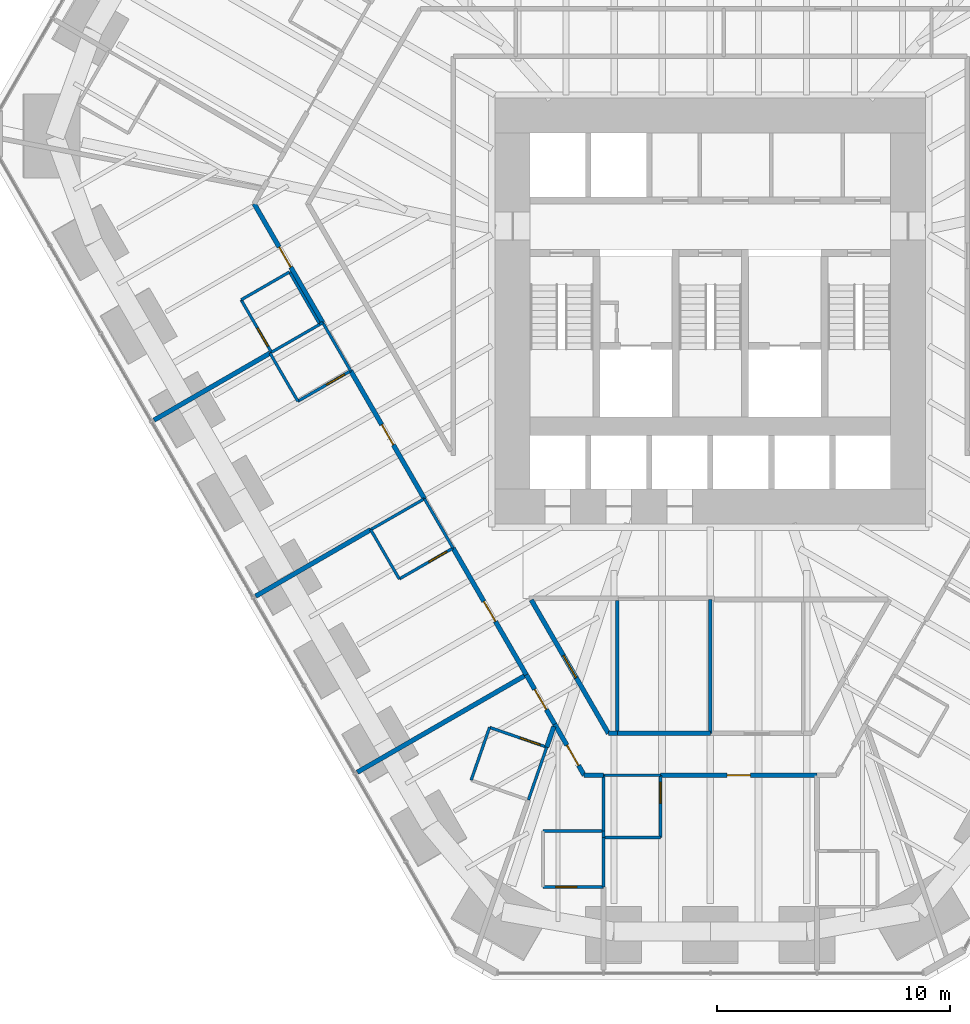
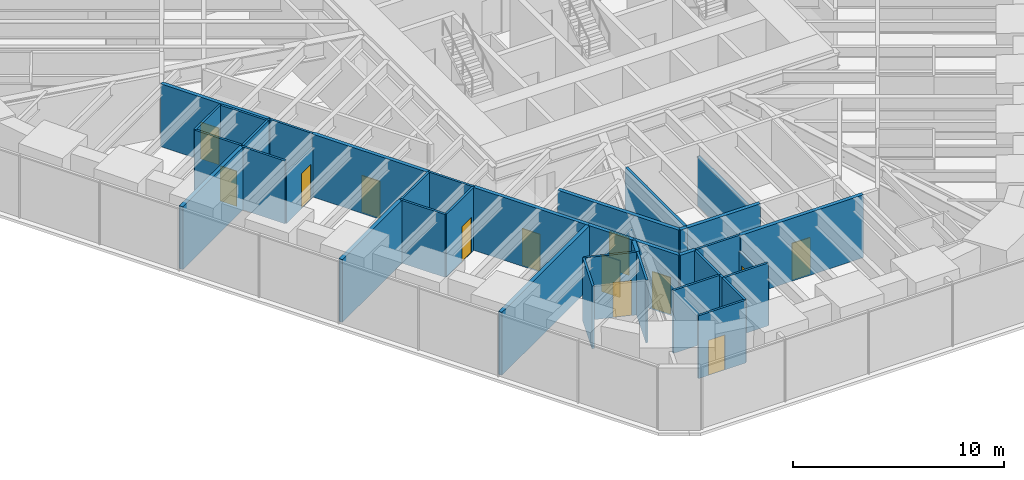
# One storey, part 11 of 17: 39 walls, 13 doors, 13 openings.
"""IFC4 building model written with IfcOpenShell, lengths in metres."""

from ifc_helpers import new_model, si_unit, direction, frame, frame_2d, origin, place, context, subcontext, project, spatial, rectangle, extrude, material, layer, layer_set, type_object, element, fill, save


model = new_model("IFC4")

# Units and contexts
model_context = context("Model", 3, precision=1e-05, world=origin(), true_north=direction((0.0, 1.0)))
body_context = subcontext(model_context, "Body", "Model", "MODEL_VIEW")
ifc_project = project(units=[si_unit("LENGTHUNIT", "METRE"), si_unit("AREAUNIT", "SQUARE_METRE"), si_unit("VOLUMEUNIT", "CUBIC_METRE"), si_unit("PLANEANGLEUNIT", "RADIAN"), si_unit("MASSUNIT", "GRAM", prefix="KILO")], contexts=[model_context])

# Site, building, storey
site_placement = place(None, origin())
site = spatial("IfcSite", under=ifc_project, at=site_placement, CompositionType="ELEMENT")
building_placement = place(site_placement, origin())
building = spatial("IfcBuilding", under=site, at=building_placement, Name="Sandreach Pilgrim Tower", CompositionType="ELEMENT")
storey_placement = place(building_placement, frame((0.0, 0.0, 64.800048828125)))
storey = spatial("IfcBuildingStorey", under=building, at=storey_placement, Name="L15", CompositionType="ELEMENT", Elevation=64.800048828125)

# Walls
ifc_material_1 = material(Name="Gypsum board on steel studs", Category="steel")
ifc_layer_1 = layer(ifc_material_1, 0.14990234375)
ifc_layer_set_1 = layer_set([ifc_layer_1], Name="Back of house wall 150")
wall_type_1 = type_object("IfcWallType", Name="Back of house wall 150", PredefinedType="PARTITIONING", material=ifc_layer_set_1)
wall_1_placement = place(storey_placement, frame((-4.0, -14.0, 0.0), z_axis=(0.0, 0.0, 1.0), x_axis=(0.0, -1.0, 0.0)))
element("IfcWall", 1, at=wall_1_placement, inside=storey, type_object=wall_type_1, Name="Back of house wall L15-078", PredefinedType="PARTITIONING", context=body_context, shape_type="SweptSolid", body=[
    extrude(rectangle(XDim=5.7099609375, YDim=0.14990234375, at=frame_2d((2.85498046875, 0.0))), origin(), (0.0, 0.0, 1.0), 3.639892578125),
])
wall_2_placement = place(storey_placement, frame((0.0, -13.949951171875, 0.0), z_axis=(0.0, 0.0, 1.0), x_axis=(0.0, -1.0, 0.0)))
element("IfcWall", 2, at=wall_2_placement, inside=storey, type_object=wall_type_1, Name="Back of house wall L15-086", PredefinedType="PARTITIONING", context=body_context, shape_type="SweptSolid", body=[
    extrude(rectangle(XDim=5.760009765625, YDim=0.14990234375, at=frame_2d((2.8798828125, 0.0))), origin(), (0.0, 0.0, 1.0), 2.860107421875),
])

# Wall, opening, door
ifc_material_2 = material(Name="Moisture-resistant gypsum board on steel studs", Category="steel")
ifc_layer_2 = layer(ifc_material_2, 0.1201171875)
ifc_layer_set_2 = layer_set([ifc_layer_2], Name="Bathroom partition 120")
wall_type_2 = type_object("IfcWallType", Name="Bathroom partition 120", PredefinedType="PARTITIONING", material=ifc_layer_set_2)
wall_3_placement = place(storey_placement, frame((-20.169921875, -1.070068359375, 0.0), z_axis=(0.0, 0.0, 1.0), x_axis=(0.500291685314, -0.865856933682, 0.0)))
wall_3 = element("IfcWall", 3, at=wall_3_placement, inside=storey, type_object=wall_type_2, Name="Bathroom partition L15-011", PredefinedType="PARTITIONING", context=body_context, shape_type="SweptSolid", body=[
    extrude(rectangle(XDim=2.5986328125, YDim=0.1201171875, at=frame_2d((1.29931640625, 0.0))), origin(), (0.0, 0.0, 1.0), 3.639892578125),
])
opening_1_placement = place(wall_3_placement, frame((1.398681640625, 0.0, 0.0)))
opening_1 = element("IfcOpeningElement", 4, at=opening_1_placement, cuts=wall_3, Name="Opening D09-17B", PredefinedType="OPENING", context=body_context, shape_type="SweptSolid", body=[
    extrude(rectangle(XDim=0.89990234375, YDim=2.030029296875, at=frame_2d((0.449951171875, 1.01513671875))), frame((0.0, 0.06005859375, 0.0), z_axis=(0.0, -1.0, 0.0), x_axis=(1.0, 0.0, 0.0)), (0.0, 0.0, 1.0), 0.1201171875),
])
ifc_material_3 = material(Name="Timber door, steel frame", Category="steel")
door_type_1 = type_object("IfcDoorType", Name="Bathroom door", OperationType="SINGLE_SWING_LEFT", PredefinedType="DOOR", material=ifc_material_3)
door_1_placement = place(opening_1_placement, origin())
door_1 = element("IfcDoor", 5, at=door_1_placement, inside=storey, type_object=door_type_1, Name="Door 1517B", OperationType="SINGLE_SWING_RIGHT", OverallHeight=2.030029296875, OverallWidth=0.89990234375, PredefinedType="DOOR", context=body_context, shape_type="SweptSolid", body=[
    extrude(rectangle(XDim=0.89990234375, YDim=2.030029296875, at=frame_2d((0.449951171875, 1.01513671875))), frame((0.0, 0.02490234375, 0.0), z_axis=(0.0, -1.0, 0.0), x_axis=(1.0, 0.0, 0.0)), (0.0, 0.0, 1.0), 0.050048828125),
])
fill(opening_1, door_1)

# Walls
wall_4_placement = place(storey_placement, frame((-18.929931640625, -3.360107421875, 0.0), z_axis=(0.0, 0.0, 1.0), x_axis=(0.501547039172, -0.865130376012, 0.0)))
element("IfcWall", 6, at=wall_4_placement, inside=storey, type_object=wall_type_2, Name="Bathroom partition L15-015", PredefinedType="PARTITIONING", context=body_context, shape_type="SweptSolid", body=[
    extrude(rectangle(XDim=2.392578125, YDim=0.1201171875, at=frame_2d((1.1962890625, 0.0))), origin(), (0.0, 0.0, 1.0), 3.639892578125),
])
wall_5_placement = place(storey_placement, frame((-18.86767578125, -3.323974609375, 0.0), z_axis=(0.0, 0.0, 1.0), x_axis=(0.866133109688, 0.499813401482, 0.0)))
element("IfcWall", 7, at=wall_5_placement, inside=storey, type_object=wall_type_2, Name="Bathroom partition L15-016", PredefinedType="PARTITIONING", context=body_context, shape_type="SweptSolid", body=[
    extrude(rectangle(XDim=2.4013671875, YDim=0.1201171875, at=frame_2d((1.20068359375, 0.0))), origin(), (0.0, 0.0, 1.0), 3.639892578125),
])
wall_6_placement = place(storey_placement, frame((-18.090087890625, 0.1298828125, 0.0), z_axis=(0.0, 0.0, 1.0), x_axis=(-0.866177122335, -0.499737123639, 0.0)))
element("IfcWall", 8, at=wall_6_placement, inside=storey, type_object=wall_type_2, Name="Bathroom partition L15-019", PredefinedType="PARTITIONING", context=body_context, shape_type="SweptSolid", body=[
    extrude(rectangle(XDim=2.401123046875, YDim=0.1201171875, at=frame_2d((1.20068359375, 0.0))), origin(), (0.0, 0.0, 1.0), 3.639892578125),
])

# Wall, opening, door
wall_7_placement = place(storey_placement, frame((-17.72998046875, -5.429931640625, 0.0), z_axis=(0.0, 0.0, 1.0), x_axis=(0.866114241029, 0.499846097802, 0.0)))
wall_7 = element("IfcWall", 9, at=wall_7_placement, inside=storey, type_object=wall_type_2, Name="Bathroom partition L15-021", PredefinedType="PARTITIONING", context=body_context, shape_type="SweptSolid", body=[
    extrude(rectangle(XDim=2.620849609375, YDim=0.1201171875, at=frame_2d((1.310546875, 0.0))), origin(), (0.0, 0.0, 1.0), 2.8779296875),
])
opening_2_placement = place(wall_7_placement, frame((1.4208984375, 0.0, 0.0)))
opening_2 = element("IfcOpeningElement", 10, at=opening_2_placement, cuts=wall_7, Name="Opening D09-16B", PredefinedType="OPENING", context=body_context, shape_type="SweptSolid", body=[
    extrude(rectangle(XDim=0.89990234375, YDim=2.030029296875, at=frame_2d((0.449951171875, 1.01513671875))), frame((0.0, 0.06005859375, 0.0), z_axis=(0.0, -1.0, 0.0), x_axis=(1.0, 0.0, 0.0)), (0.0, 0.0, 1.0), 0.1201171875),
])
door_2_placement = place(opening_2_placement, origin())
door_2 = element("IfcDoor", 11, at=door_2_placement, inside=storey, type_object=door_type_1, Name="Door 1516B", OperationType="SINGLE_SWING_RIGHT", OverallHeight=2.030029296875, OverallWidth=0.89990234375, PredefinedType="DOOR", context=body_context, shape_type="SweptSolid", body=[
    extrude(rectangle(XDim=0.89990234375, YDim=2.030029296875, at=frame_2d((0.449951171875, 1.01513671875))), frame((0.0, 0.02490234375, 0.0), z_axis=(0.0, -1.0, 0.0), x_axis=(1.0, 0.0, 0.0)), (0.0, 0.0, 1.0), 0.050048828125),
])
fill(opening_2, door_2)

# Walls
wall_8_placement = place(storey_placement, frame((-16.7900390625, -2.1201171875, 0.0), z_axis=(0.0, 0.0, 1.0), x_axis=(-0.50025099007, 0.865880446098, 0.0)))
element("IfcWall", 12, at=wall_8_placement, inside=storey, type_object=wall_type_2, Name="Bathroom partition L15-026", PredefinedType="PARTITIONING", context=body_context, shape_type="SweptSolid", body=[
    extrude(rectangle(XDim=2.598876953125, YDim=0.1201171875, at=frame_2d((1.29931640625, 0.0))), origin(), (0.0, 0.0, 1.0), 3.639892578125),
])
wall_9_placement = place(storey_placement, frame((-16.787841796875, -2.123779296875, 0.0), z_axis=(0.0, 0.0, 1.0), x_axis=(0.866405716731, 0.499340699338, 0.0)))
element("IfcWall", 13, at=wall_9_placement, inside=storey, type_object=wall_type_2, Name="Bathroom partition L15-027", PredefinedType="PARTITIONING", context=body_context, shape_type="SweptSolid", body=[
    extrude(rectangle(XDim=0.147705078125, YDim=0.1201171875, at=frame_2d((0.07373046875, 0.0))), origin(), (0.0, 0.0, 1.0), 3.639892578125),
])
wall_10_placement = place(storey_placement, frame((-16.659912109375, -2.050048828125, 0.0), z_axis=(0.0, 0.0, 1.0), x_axis=(0.501502765098, -0.865156041763, 0.0)))
element("IfcWall", 14, at=wall_10_placement, inside=storey, type_object=wall_type_2, Name="Bathroom partition L15-028", PredefinedType="PARTITIONING", context=body_context, shape_type="SweptSolid", body=[
    extrude(rectangle(XDim=2.392822265625, YDim=0.1201171875, at=frame_2d((1.1962890625, 0.0))), origin(), (0.0, 0.0, 1.0), 3.639892578125),
])
wall_11_placement = place(storey_placement, frame((-14.60009765625, -10.949951171875, 0.0), z_axis=(0.0, 0.0, 1.0), x_axis=(0.501888006485, -0.864932615264, 0.0)))
element("IfcWall", 15, at=wall_11_placement, inside=storey, type_object=wall_type_2, Name="Bathroom partition L15-036", PredefinedType="PARTITIONING", context=body_context, shape_type="SweptSolid", body=[
    extrude(rectangle(XDim=2.451171875, YDim=0.1201171875, at=frame_2d((1.2255859375, 0.0))), origin(), (0.0, 0.0, 1.0), 3.639892578125),
])
wall_12_placement = place(storey_placement, frame((-14.60009765625, -10.949951171875, 0.0), z_axis=(0.0, 0.0, 1.0), x_axis=(0.866654860089, 0.498908161372, 0.0)))
element("IfcWall", 16, at=wall_12_placement, inside=storey, type_object=wall_type_2, Name="Bathroom partition L15-037", PredefinedType="PARTITIONING", context=body_context, shape_type="SweptSolid", body=[
    extrude(rectangle(XDim=2.66552734375, YDim=0.1201171875, at=frame_2d((1.332763671875, 0.0))), origin(), (0.0, 0.0, 1.0), 3.639892578125),
])

# Wall, opening, door
wall_13_placement = place(storey_placement, frame((-13.3701171875, -13.070068359375, 0.0), z_axis=(0.0, 0.0, 1.0), x_axis=(0.866615255992, 0.498976951453, 0.0)))
wall_13 = element("IfcWall", 17, at=wall_13_placement, inside=storey, type_object=wall_type_2, Name="Bathroom partition L15-040", PredefinedType="PARTITIONING", context=body_context, shape_type="SweptSolid", body=[
    extrude(rectangle(XDim=2.66552734375, YDim=0.1201171875, at=frame_2d((1.332763671875, 0.0))), origin(), (0.0, 0.0, 1.0), 3.639892578125),
])
opening_3_placement = place(wall_13_placement, frame((1.465576171875, 0.0, 0.0)))
opening_3 = element("IfcOpeningElement", 18, at=opening_3_placement, cuts=wall_13, Name="Opening D09-15B", PredefinedType="OPENING", context=body_context, shape_type="SweptSolid", body=[
    extrude(rectangle(XDim=0.89990234375, YDim=2.030029296875, at=frame_2d((0.449951171875, 1.01513671875))), frame((0.0, 0.06005859375, 0.0), z_axis=(0.0, -1.0, 0.0), x_axis=(1.0, 0.0, 0.0)), (0.0, 0.0, 1.0), 0.1201171875),
])
door_3_placement = place(opening_3_placement, origin())
door_3 = element("IfcDoor", 19, at=door_3_placement, inside=storey, type_object=door_type_1, Name="Door 1515B", OperationType="SINGLE_SWING_RIGHT", OverallHeight=2.030029296875, OverallWidth=0.89990234375, PredefinedType="DOOR", context=body_context, shape_type="SweptSolid", body=[
    extrude(rectangle(XDim=0.89990234375, YDim=2.030029296875, at=frame_2d((0.449951171875, 1.01513671875))), frame((0.0, 0.02490234375, 0.0), z_axis=(0.0, -1.0, 0.0), x_axis=(1.0, 0.0, 0.0)), (0.0, 0.0, 1.0), 0.050048828125),
])
fill(opening_3, door_3)

# Walls
wall_14_placement = place(storey_placement, frame((-12.290283203125, -9.6201171875, 0.0), z_axis=(0.0, 0.0, 1.0), x_axis=(0.501931246184, -0.864907523441, 0.0)))
element("IfcWall", 20, at=wall_14_placement, inside=storey, type_object=wall_type_2, Name="Bathroom partition L15-044", PredefinedType="PARTITIONING", context=body_context, shape_type="SweptSolid", body=[
    extrude(rectangle(XDim=2.450927734375, YDim=0.1201171875, at=frame_2d((1.2255859375, 0.0))), origin(), (0.0, 0.0, 1.0), 3.639892578125),
])
for number, where, z_axis, x_axis, name in (
    (21, (-9.489990234375, -19.449951171875, 0.0), (0.0, 0.0, 1.0), (-0.328693963496, -0.944436487203, 0.0), "Bathroom partition L15-053"),
    (22, (-7.820068359375, -22.570068359375, 0.0), (0.0, 0.0, 1.0), (0.328693963496, 0.944436487203, 0.0), "Bathroom partition L15-060"),
):
    element("IfcWall", number, at=place(storey_placement, frame(where, z_axis=z_axis, x_axis=x_axis)), inside=storey, type_object=wall_type_2, Name=name, PredefinedType="PARTITIONING", context=body_context, shape_type="SweptSolid", body=[
        extrude(rectangle(XDim=2.403564453125, YDim=0.1201171875, at=frame_2d((1.20166015625, 0.0))), origin(), (0.0, 0.0, 1.0), 3.639892578125),
    ])

# Wall, opening, door
wall_15_placement = place(storey_placement, frame((-7.18994140625, -26.31005859375, 0.0), z_axis=(0.0, 0.0, 1.0), x_axis=(1.0, 0.0, 0.0)))
wall_15 = element("IfcWall", 23, at=wall_15_placement, inside=storey, type_object=wall_type_2, Name="Bathroom partition L15-061", PredefinedType="PARTITIONING", context=body_context, shape_type="SweptSolid", body=[
    extrude(rectangle(XDim=2.599853515625, YDim=0.1201171875, at=frame_2d((1.2998046875, 0.0))), origin(), (0.0, 0.0, 1.0), 3.639892578125),
])
opening_4_placement = place(wall_15_placement, frame((0.550048828125, 0.0, 0.0)))
opening_4 = element("IfcOpeningElement", 24, at=opening_4_placement, cuts=wall_15, Name="Opening D09-13B", PredefinedType="OPENING", context=body_context, shape_type="SweptSolid", body=[
    extrude(rectangle(XDim=0.89990234375, YDim=2.030029296875, at=frame_2d((0.449951171875, 1.01513671875))), frame((0.0, 0.06005859375, 0.0), z_axis=(0.0, -1.0, 0.0), x_axis=(1.0, 0.0, 0.0)), (0.0, 0.0, 1.0), 0.1201171875),
])
door_4_placement = place(opening_4_placement, origin())
door_4 = element("IfcDoor", 25, at=door_4_placement, inside=storey, type_object=door_type_1, Name="Door 1513B", OperationType="SINGLE_SWING_LEFT", OverallHeight=2.030029296875, OverallWidth=0.89990234375, PredefinedType="DOOR", context=body_context, shape_type="SweptSolid", body=[
    extrude(rectangle(XDim=0.89990234375, YDim=2.030029296875, at=frame_2d((0.449951171875, 1.01513671875))), frame((0.0, 0.02490234375, 0.0), z_axis=(0.0, -1.0, 0.0), x_axis=(1.0, 0.0, 0.0)), (0.0, 0.0, 1.0), 0.050048828125),
])
fill(opening_4, door_4)

wall_16_placement = place(storey_placement, frame((-7.030029296875, -20.300048828125, 0.0), z_axis=(0.0, 0.0, 1.0), x_axis=(-0.94515546045, 0.326620813149, 0.0)))
wall_16 = element("IfcWall", 26, at=wall_16_placement, inside=storey, type_object=wall_type_2, Name="Bathroom partition L15-063", PredefinedType="PARTITIONING", context=body_context, shape_type="SweptSolid", body=[
    extrude(rectangle(XDim=2.602783203125, YDim=0.1201171875, at=frame_2d((1.30126953125, 0.0))), origin(), (0.0, 0.0, 1.0), 3.639892578125),
])
opening_5_placement = place(wall_16_placement, frame((0.300048828125, 0.0, 0.0)))
opening_5 = element("IfcOpeningElement", 27, at=opening_5_placement, cuts=wall_16, Name="Opening D09-14B", PredefinedType="OPENING", context=body_context, shape_type="SweptSolid", body=[
    extrude(rectangle(XDim=0.89990234375, YDim=2.030029296875, at=frame_2d((0.449951171875, 1.01513671875))), frame((0.0, 0.06005859375, 0.0), z_axis=(0.0, -1.0, 0.0), x_axis=(1.0, 0.0, 0.0)), (0.0, 0.0, 1.0), 0.1201171875),
])
door_5_placement = place(opening_5_placement, origin())
door_5 = element("IfcDoor", 28, at=door_5_placement, inside=storey, type_object=door_type_1, Name="Door 1514B", OperationType="SINGLE_SWING_LEFT", OverallHeight=2.030029296875, OverallWidth=0.89990234375, PredefinedType="DOOR", context=body_context, shape_type="SweptSolid", body=[
    extrude(rectangle(XDim=0.89990234375, YDim=2.030029296875, at=frame_2d((0.449951171875, 1.01513671875))), frame((0.0, 0.02490234375, 0.0), z_axis=(0.0, -1.0, 0.0), x_axis=(1.0, 0.0, 0.0)), (0.0, 0.0, 1.0), 0.050048828125),
])
fill(opening_5, door_5)

# Walls
wall_17_placement = place(storey_placement, frame((-4.590087890625, -26.31005859375, 0.0), z_axis=(0.0, 0.0, 1.0), x_axis=(0.0, 1.0, 0.0)))
element("IfcWall", 29, at=wall_17_placement, inside=storey, type_object=wall_type_2, Name="Bathroom partition L15-070", PredefinedType="PARTITIONING", context=body_context, shape_type="SweptSolid", body=[
    extrude(rectangle(XDim=2.130126953125, YDim=0.1201171875, at=frame_2d((1.06494140625, 0.0))), origin(), (0.0, 0.0, 1.0), 3.639892578125),
])
wall_18_placement = place(storey_placement, frame((-4.590087890625, -24.179931640625, 0.0), z_axis=(0.0, 0.0, 1.0), x_axis=(0.0, 1.0, 0.0)))
element("IfcWall", 30, at=wall_18_placement, inside=storey, type_object=wall_type_2, Name="Bathroom partition L15-071", PredefinedType="PARTITIONING", context=body_context, shape_type="SweptSolid", body=[
    extrude(rectangle(XDim=0.27001953125, YDim=0.1201171875, at=frame_2d((0.135009765625, 0.0))), origin(), (0.0, 0.0, 1.0), 3.639892578125),
])
wall_19_placement = place(storey_placement, frame((-4.590087890625, -24.179931640625, 0.0), z_axis=(0.0, 0.0, 1.0), x_axis=(1.0, 0.0, 0.0)))
element("IfcWall", 31, at=wall_19_placement, inside=storey, type_object=wall_type_2, Name="Bathroom partition L15-072", PredefinedType="PARTITIONING", context=body_context, shape_type="SweptSolid", body=[
    extrude(rectangle(XDim=2.4501953125, YDim=0.1201171875, at=frame_2d((1.22509765625, 0.0))), origin(), (0.0, 0.0, 1.0), 3.639892578125),
])
wall_20_placement = place(storey_placement, frame((-4.590087890625, -23.909912109375, 0.0), z_axis=(0.0, 0.0, 1.0), x_axis=(-1.0, 0.0, 0.0)))
element("IfcWall", 32, at=wall_20_placement, inside=storey, type_object=wall_type_2, Name="Bathroom partition L15-073", PredefinedType="PARTITIONING", context=body_context, shape_type="SweptSolid", body=[
    extrude(rectangle(XDim=2.599853515625, YDim=0.1201171875, at=frame_2d((1.2998046875, 0.0))), origin(), (0.0, 0.0, 1.0), 3.639892578125),
])
wall_21_placement = place(storey_placement, frame((-4.590087890625, -23.909912109375, 0.0), z_axis=(0.0, 0.0, 1.0), x_axis=(0.0, 1.0, 0.0)))
element("IfcWall", 33, at=wall_21_placement, inside=storey, type_object=wall_type_2, Name="Bathroom partition L15-074", PredefinedType="PARTITIONING", context=body_context, shape_type="SweptSolid", body=[
    extrude(rectangle(XDim=2.39990234375, YDim=0.1201171875, at=frame_2d((1.199951171875, 0.0))), origin(), (0.0, 0.0, 1.0), 3.639892578125),
])
wall_22_placement = place(storey_placement, frame((-4.590087890625, -21.510009765625, 0.0), z_axis=(0.0, 0.0, 1.0), x_axis=(1.0, 0.0, 0.0)))
element("IfcWall", 34, at=wall_22_placement, inside=storey, type_object=wall_type_2, Name="Bathroom partition L15-075", PredefinedType="PARTITIONING", context=body_context, shape_type="SweptSolid", body=[
    extrude(rectangle(XDim=2.4501953125, YDim=0.1201171875, at=frame_2d((1.22509765625, 0.0))), origin(), (0.0, 0.0, 1.0), 3.639892578125),
])

# Wall, opening, door
wall_23_placement = place(storey_placement, frame((-2.139892578125, -24.179931640625, 0.0), z_axis=(0.0, 0.0, 1.0), x_axis=(0.0, 1.0, 0.0)))
wall_23 = element("IfcWall", 35, at=wall_23_placement, inside=storey, type_object=wall_type_2, Name="Bathroom partition L15-083", PredefinedType="PARTITIONING", context=body_context, shape_type="SweptSolid", body=[
    extrude(rectangle(XDim=2.669921875, YDim=0.1201171875, at=frame_2d((1.3349609375, 0.0))), origin(), (0.0, 0.0, 1.0), 2.7255859375),
])
opening_6_placement = place(wall_23_placement, frame((1.469970703125, 0.0, 0.0)))
opening_6 = element("IfcOpeningElement", 36, at=opening_6_placement, cuts=wall_23, Name="Opening D09-12B", PredefinedType="OPENING", context=body_context, shape_type="SweptSolid", body=[
    extrude(rectangle(XDim=0.89990234375, YDim=2.030029296875, at=frame_2d((0.449951171875, 1.01513671875))), frame((0.0, 0.06005859375, 0.0), z_axis=(0.0, -1.0, 0.0), x_axis=(1.0, 0.0, 0.0)), (0.0, 0.0, 1.0), 0.1201171875),
])
door_6_placement = place(opening_6_placement, origin())
door_6 = element("IfcDoor", 37, at=door_6_placement, inside=storey, type_object=door_type_1, Name="Door 1512B", OperationType="SINGLE_SWING_RIGHT", OverallHeight=2.030029296875, OverallWidth=0.89990234375, PredefinedType="DOOR", context=body_context, shape_type="SweptSolid", body=[
    extrude(rectangle(XDim=0.89990234375, YDim=2.030029296875, at=frame_2d((0.449951171875, 1.01513671875))), frame((0.0, 0.02490234375, 0.0), z_axis=(0.0, -1.0, 0.0), x_axis=(1.0, 0.0, 0.0)), (0.0, 0.0, 1.0), 0.050048828125),
])
fill(opening_6, door_6)

ifc_material_4 = material(Name="Gypsum board on steel studs, two layers each side", Category="steel")
ifc_layer_3 = layer(ifc_material_4, 0.199951171875)
ifc_layer_set_3 = layer_set([ifc_layer_3], Name="Corridor wall 200")
wall_type_3 = type_object("IfcWallType", Name="Corridor wall 200", PredefinedType="PARTITIONING", material=ifc_layer_set_3)
wall_24_placement = place(storey_placement, frame((-19.610107421875, 3.06005859375, 0.0), z_axis=(0.0, 0.0, 1.0), x_axis=(0.499983910424, -0.866034692906, 0.0)))
wall_24 = element("IfcWall", 38, at=wall_24_placement, inside=storey, type_object=wall_type_3, Name="Corridor wall L15-013", PredefinedType="PARTITIONING", context=body_context, shape_type="SweptSolid", body=[
    extrude(rectangle(XDim=5.900634765625, YDim=0.199951171875, at=frame_2d((2.9501953125, 0.0))), origin(), (0.0, 0.0, 1.0), 3.639892578125),
])
opening_7_placement = place(wall_24_placement, frame((2.14990234375, 0.0, 0.0)))
opening_7 = element("IfcOpeningElement", 39, at=opening_7_placement, cuts=wall_24, Name="Opening D10-17", PredefinedType="OPENING", context=body_context, shape_type="SweptSolid", body=[
    extrude(rectangle(XDim=1.0, YDim=2.1298828125, at=frame_2d((0.5, 1.06494140625))), frame((0.0, 0.10009765625, 0.0), z_axis=(0.0, -1.0, 0.0), x_axis=(1.0, 0.0, 0.0)), (0.0, 0.0, 1.0), 0.199951171875),
])
ifc_material_5 = material(Name="Steel door and frame", Category="steel")
door_type_2 = type_object("IfcDoorType", Name="Guest room entry door", OperationType="SINGLE_SWING_LEFT", PredefinedType="DOOR", material=ifc_material_5)
door_7_placement = place(opening_7_placement, origin())
door_7 = element("IfcDoor", 40, at=door_7_placement, inside=storey, type_object=door_type_2, Name="Door 1517", OperationType="SINGLE_SWING_LEFT", OverallHeight=2.1298828125, OverallWidth=1.0, PredefinedType="DOOR", context=body_context, shape_type="SweptSolid", body=[
    extrude(rectangle(XDim=1.0, YDim=2.1298828125, at=frame_2d((0.5, 1.06494140625))), frame((0.0, 0.02490234375, 0.0), z_axis=(0.0, -1.0, 0.0), x_axis=(1.0, 0.0, 0.0)), (0.0, 0.0, 1.0), 0.050048828125),
])
fill(opening_7, door_7)

wall_25_placement = place(storey_placement, frame((-15.4599609375, -4.1201171875, 0.0), z_axis=(0.0, 0.0, 1.0), x_axis=(0.499320644457, -0.866417274769, 0.0)))
wall_25 = element("IfcWall", 41, at=wall_25_placement, inside=storey, type_object=wall_type_3, Name="Corridor wall L15-033", PredefinedType="PARTITIONING", context=body_context, shape_type="SweptSolid", body=[
    extrude(rectangle(XDim=6.347900390625, YDim=0.199951171875, at=frame_2d((3.173828125, 0.0))), origin(), (0.0, 0.0, 1.0), 3.639892578125),
])
opening_8_placement = place(wall_25_placement, frame((2.674072265625, 0.0, 0.0)))
opening_8 = element("IfcOpeningElement", 42, at=opening_8_placement, cuts=wall_25, Name="Opening D10-16", PredefinedType="OPENING", context=body_context, shape_type="SweptSolid", body=[
    extrude(rectangle(XDim=1.0, YDim=2.1298828125, at=frame_2d((0.5, 1.06494140625))), frame((0.0, 0.10009765625, 0.0), z_axis=(0.0, -1.0, 0.0), x_axis=(1.0, 0.0, 0.0)), (0.0, 0.0, 1.0), 0.199951171875),
])
door_8_placement = place(opening_8_placement, origin())
door_8 = element("IfcDoor", 43, at=door_8_placement, inside=storey, type_object=door_type_2, Name="Door 1516", OperationType="SINGLE_SWING_LEFT", OverallHeight=2.1298828125, OverallWidth=1.0, PredefinedType="DOOR", context=body_context, shape_type="SweptSolid", body=[
    extrude(rectangle(XDim=1.0, YDim=2.1298828125, at=frame_2d((0.5, 1.06494140625))), frame((0.0, 0.02490234375, 0.0), z_axis=(0.0, -1.0, 0.0), x_axis=(1.0, 0.0, 0.0)), (0.0, 0.0, 1.0), 0.050048828125),
])
fill(opening_8, door_8)

wall_26_placement = place(storey_placement, frame((-11.06005859375, -11.739990234375, 0.0), z_axis=(0.0, 0.0, 1.0), x_axis=(0.50043073037, -0.865776578628, 0.0)))
wall_26 = element("IfcWall", 44, at=wall_26_placement, inside=storey, type_object=wall_type_3, Name="Corridor wall L15-048", PredefinedType="PARTITIONING", context=body_context, shape_type="SweptSolid", body=[
    extrude(rectangle(XDim=6.294921875, YDim=0.199951171875, at=frame_2d((3.1474609375, 0.0))), origin(), (0.0, 0.0, 1.0), 3.639892578125),
])
opening_9_placement = place(wall_26_placement, frame((2.6474609375, 0.0, 0.0)))
opening_9 = element("IfcOpeningElement", 45, at=opening_9_placement, cuts=wall_26, Name="Opening D10-15", PredefinedType="OPENING", context=body_context, shape_type="SweptSolid", body=[
    extrude(rectangle(XDim=1.0, YDim=2.1298828125, at=frame_2d((0.5, 1.06494140625))), frame((0.0, 0.10009765625, 0.0), z_axis=(0.0, -1.0, 0.0), x_axis=(1.0, 0.0, 0.0)), (0.0, 0.0, 1.0), 0.199951171875),
])
door_9_placement = place(opening_9_placement, origin())
door_9 = element("IfcDoor", 46, at=door_9_placement, inside=storey, type_object=door_type_2, Name="Door 1515", OperationType="SINGLE_SWING_LEFT", OverallHeight=2.1298828125, OverallWidth=1.0, PredefinedType="DOOR", context=body_context, shape_type="SweptSolid", body=[
    extrude(rectangle(XDim=1.0, YDim=2.1298828125, at=frame_2d((0.5, 1.06494140625))), frame((0.0, 0.02490234375, 0.0), z_axis=(0.0, -1.0, 0.0), x_axis=(1.0, 0.0, 0.0)), (0.0, 0.0, 1.0), 0.050048828125),
])
fill(opening_9, door_9)

wall_27_placement = place(storey_placement, frame((-7.909912109375, -17.18994140625, 0.0), z_axis=(0.0, 0.0, 1.0), x_axis=(0.498748634132, -0.866746675766, 0.0)))
wall_27 = element("IfcWall", 47, at=wall_27_placement, inside=storey, type_object=wall_type_3, Name="Corridor wall L15-059", PredefinedType="PARTITIONING", context=body_context, shape_type="SweptSolid", body=[
    extrude(rectangle(XDim=2.446044921875, YDim=0.199951171875, at=frame_2d((1.22314453125, 0.0))), origin(), (0.0, 0.0, 1.0), 3.639892578125),
])
opening_10_placement = place(wall_27_placement, frame((0.722900390625, 0.0, 0.0)))
opening_10 = element("IfcOpeningElement", 48, at=opening_10_placement, cuts=wall_27, Name="Opening D10-14", PredefinedType="OPENING", context=body_context, shape_type="SweptSolid", body=[
    extrude(rectangle(XDim=1.0, YDim=2.1298828125, at=frame_2d((0.5, 1.06494140625))), frame((0.0, 0.10009765625, 0.0), z_axis=(0.0, -1.0, 0.0), x_axis=(1.0, 0.0, 0.0)), (0.0, 0.0, 1.0), 0.199951171875),
])
door_10_placement = place(opening_10_placement, origin())
door_10 = element("IfcDoor", 49, at=door_10_placement, inside=storey, type_object=door_type_2, Name="Door 1514", OperationType="SINGLE_SWING_LEFT", OverallHeight=2.1298828125, OverallWidth=1.0, PredefinedType="DOOR", context=body_context, shape_type="SweptSolid", body=[
    extrude(rectangle(XDim=1.0, YDim=2.1298828125, at=frame_2d((0.5, 1.06494140625))), frame((0.0, 0.02490234375, 0.0), z_axis=(0.0, -1.0, 0.0), x_axis=(1.0, 0.0, 0.0)), (0.0, 0.0, 1.0), 0.050048828125),
])
fill(opening_10, door_10)

wall_28_placement = place(storey_placement, frame((-6.68994140625, -19.31005859375, 0.0), z_axis=(0.0, 0.0, 1.0), x_axis=(0.499963722229, -0.866046347752, 0.0)))
wall_28 = element("IfcWall", 50, at=wall_28_placement, inside=storey, type_object=wall_type_3, Name="Corridor wall L15-065", PredefinedType="PARTITIONING", context=body_context, shape_type="SweptSolid", body=[
    extrude(rectangle(XDim=2.540283203125, YDim=0.199951171875, at=frame_2d((1.27001953125, 0.0))), origin(), (0.0, 0.0, 1.0), 3.639892578125),
])
opening_11_placement = place(wall_28_placement, frame((1.050048828125, 0.0, 0.0)))
opening_11 = element("IfcOpeningElement", 51, at=opening_11_placement, cuts=wall_28, Name="Opening D10-13", PredefinedType="OPENING", context=body_context, shape_type="SweptSolid", body=[
    extrude(rectangle(XDim=1.0, YDim=2.1298828125, at=frame_2d((0.5, 1.06494140625))), frame((0.0, 0.10009765625, 0.0), z_axis=(0.0, -1.0, 0.0), x_axis=(1.0, 0.0, 0.0)), (0.0, 0.0, 1.0), 0.199951171875),
])
door_11_placement = place(opening_11_placement, origin())
door_11 = element("IfcDoor", 52, at=door_11_placement, inside=storey, type_object=door_type_2, Name="Door 1513", OperationType="SINGLE_SWING_RIGHT", OverallHeight=2.1298828125, OverallWidth=1.0, PredefinedType="DOOR", context=body_context, shape_type="SweptSolid", body=[
    extrude(rectangle(XDim=1.0, YDim=2.1298828125, at=frame_2d((0.5, 1.06494140625))), frame((0.0, 0.02490234375, 0.0), z_axis=(0.0, -1.0, 0.0), x_axis=(1.0, 0.0, 0.0)), (0.0, 0.0, 1.0), 0.050048828125),
])
fill(opening_11, door_11)

# Wall
wall_29_placement = place(storey_placement, frame((-5.419921875, -21.510009765625, 0.0), z_axis=(0.0, 0.0, 1.0), x_axis=(1.0, 0.0, 0.0)))
element("IfcWall", 53, at=wall_29_placement, inside=storey, type_object=wall_type_3, Name="Corridor wall L15-066", PredefinedType="PARTITIONING", context=body_context, shape_type="SweptSolid", body=[
    extrude(rectangle(XDim=0.829833984375, YDim=0.199951171875, at=frame_2d((0.4150390625, 0.0))), origin(), (0.0, 0.0, 1.0), 3.639892578125),
])

# Wall, opening, door
wall_30_placement = place(storey_placement, frame((-4.3798828125, -19.7099609375, 0.0), z_axis=(0.0, 0.0, 1.0), x_axis=(-0.500523653757, 0.865722860984, 0.0)))
wall_30 = element("IfcWall", 54, at=wall_30_placement, inside=storey, type_object=wall_type_3, Name="Corridor wall L15-076", PredefinedType="PARTITIONING", context=body_context, shape_type="SweptSolid", body=[
    extrude(rectangle(XDim=6.62841796875, YDim=0.199951171875, at=frame_2d((3.314208984375, 0.0))), origin(), (0.0, 0.0, 1.0), 3.639892578125),
])
opening_12_placement = place(wall_30_placement, frame((2.76416015625, 0.0, 0.0)))
opening_12 = element("IfcOpeningElement", 55, at=opening_12_placement, cuts=wall_30, Name="Opening D11H-S1", PredefinedType="OPENING", context=body_context, shape_type="SweptSolid", body=[
    extrude(rectangle(XDim=1.10009765625, YDim=2.199951171875, at=frame_2d((0.550048828125, 1.10009765625))), frame((0.0, 0.10009765625, 0.0), z_axis=(0.0, -1.0, 0.0), x_axis=(1.0, 0.0, 0.0)), (0.0, 0.0, 1.0), 0.199951171875),
])
ifc_material_6 = material(Name="Steel door and frame", Category="steel")
door_type_3 = type_object("IfcDoorType", Name="Back of house door", OperationType="SINGLE_SWING_LEFT", PredefinedType="DOOR", material=ifc_material_6)
door_12_placement = place(opening_12_placement, origin())
door_12 = element("IfcDoor", 56, at=door_12_placement, inside=storey, type_object=door_type_3, Name="Door 15S1", OperationType="SINGLE_SWING_LEFT", OverallHeight=2.199951171875, OverallWidth=1.10009765625, PredefinedType="DOOR", context=body_context, shape_type="SweptSolid", body=[
    extrude(rectangle(XDim=1.10009765625, YDim=2.199951171875, at=frame_2d((0.550048828125, 1.10009765625))), frame((0.0, 0.02490234375, 0.0), z_axis=(0.0, -1.0, 0.0), x_axis=(1.0, 0.0, 0.0)), (0.0, 0.0, 1.0), 0.050048828125),
])
fill(opening_12, door_12)

# Wall
wall_31_placement = place(storey_placement, frame((-4.0, -19.7099609375, 0.0), z_axis=(0.0, 0.0, 1.0), x_axis=(-1.0, 0.0, 0.0)))
element("IfcWall", 57, at=wall_31_placement, inside=storey, type_object=wall_type_3, Name="Corridor wall L15-077", PredefinedType="PARTITIONING", context=body_context, shape_type="SweptSolid", body=[
    extrude(rectangle(XDim=0.3798828125, YDim=0.199951171875, at=frame_2d((0.18994140625, 0.0))), origin(), (0.0, 0.0, 1.0), 3.639892578125),
])

# Wall, opening, door
wall_32_placement = place(storey_placement, frame((-2.139892578125, -21.510009765625, 0.0), z_axis=(0.0, 0.0, 1.0), x_axis=(1.0, 0.0, 0.0)))
wall_32 = element("IfcWall", 58, at=wall_32_placement, inside=storey, type_object=wall_type_3, Name="Corridor wall L15-084", PredefinedType="PARTITIONING", context=body_context, shape_type="SweptSolid", body=[
    extrude(rectangle(XDim=6.72998046875, YDim=0.199951171875, at=frame_2d((3.364990234375, 0.0))), origin(), (0.0, 0.0, 1.0), 3.639892578125),
])
opening_13_placement = place(wall_32_placement, frame((2.864990234375, 0.0, 0.0)))
opening_13 = element("IfcOpeningElement", 59, at=opening_13_placement, cuts=wall_32, Name="Opening D10-12", PredefinedType="OPENING", context=body_context, shape_type="SweptSolid", body=[
    extrude(rectangle(XDim=1.0, YDim=2.1298828125, at=frame_2d((0.5, 1.06494140625))), frame((0.0, 0.10009765625, 0.0), z_axis=(0.0, -1.0, 0.0), x_axis=(1.0, 0.0, 0.0)), (0.0, 0.0, 1.0), 0.199951171875),
])
door_13_placement = place(opening_13_placement, origin())
door_13 = element("IfcDoor", 60, at=door_13_placement, inside=storey, type_object=door_type_2, Name="Door 1512", OperationType="SINGLE_SWING_LEFT", OverallHeight=2.1298828125, OverallWidth=1.0, PredefinedType="DOOR", context=body_context, shape_type="SweptSolid", body=[
    extrude(rectangle(XDim=1.0, YDim=2.1298828125, at=frame_2d((0.5, 1.06494140625))), frame((0.0, 0.02490234375, 0.0), z_axis=(0.0, -1.0, 0.0), x_axis=(1.0, 0.0, 0.0)), (0.0, 0.0, 1.0), 0.050048828125),
])
fill(opening_13, door_13)

# Walls
wall_33_placement = place(storey_placement, frame((0.0, -19.7099609375, 0.0), z_axis=(0.0, 0.0, 1.0), x_axis=(-1.0, 0.0, 0.0)))
element("IfcWall", 61, at=wall_33_placement, inside=storey, type_object=wall_type_3, Name="Corridor wall L15-085", PredefinedType="PARTITIONING", context=body_context, shape_type="SweptSolid", body=[
    extrude(rectangle(XDim=4.0, YDim=0.199951171875, at=frame_2d((2.0, 0.0))), origin(), (0.0, 0.0, 1.0), 3.639892578125),
])
ifc_material_7 = material(Name="Double steel stud acoustic wall, gypsum board", Category="steel")
ifc_layer_4 = layer(ifc_material_7, 0.199951171875)
ifc_layer_set_4 = layer_set([ifc_layer_4], Name="Party wall 200")
wall_type_4 = type_object("IfcWallType", Name="Party wall 200", PredefinedType="PARTITIONING", material=ifc_layer_set_4)
wall_34_placement = place(storey_placement, frame((-23.916015625, -6.239990234375, 0.0), z_axis=(0.0, 0.0, 1.0), x_axis=(0.865919350456, 0.50018364478, 0.0)))
element("IfcWall", 62, at=wall_34_placement, inside=storey, type_object=wall_type_4, Name="Party wall L15-008", PredefinedType="PARTITIONING", context=body_context, shape_type="SweptSolid", body=[
    extrude(rectangle(XDim=5.758056640625, YDim=0.199951171875, at=frame_2d((2.87890625, 0.0))), origin(), (0.0, 0.0, 1.0), 3.639892578125),
])
wall_35_placement = place(storey_placement, frame((-19.546142578125, -13.809814453125, 0.0), z_axis=(0.0, 0.0, 1.0), x_axis=(0.865702137343, 0.500559496364, 0.0)))
element("IfcWall", 63, at=wall_35_placement, inside=storey, type_object=wall_type_4, Name="Party wall L15-014", PredefinedType="PARTITIONING", context=body_context, shape_type="SweptSolid", body=[
    extrude(rectangle(XDim=5.71337890625, YDim=0.199951171875, at=frame_2d((2.856689453125, 0.0))), origin(), (0.0, 0.0, 1.0), 3.639892578125),
])
wall_36_placement = place(storey_placement, frame((-15.176025390625, -21.380126953125, 0.0), z_axis=(0.0, 0.0, 1.0), x_axis=(0.866276837306, 0.49956425127, 0.0)))
element("IfcWall", 64, at=wall_36_placement, inside=storey, type_object=wall_type_4, Name="Party wall L15-034", PredefinedType="PARTITIONING", context=body_context, shape_type="SweptSolid", body=[
    extrude(rectangle(XDim=8.37255859375, YDim=0.199951171875, at=frame_2d((4.186279296875, 0.0))), origin(), (0.0, 0.0, 1.0), 3.639892578125),
])
wall_37_placement = place(storey_placement, frame((-7.030029296875, -20.300048828125, 0.0), z_axis=(0.0, 0.0, 1.0), x_axis=(0.324737408014, 0.94580421644, 0.0)))
element("IfcWall", 65, at=wall_37_placement, inside=storey, type_object=wall_type_4, Name="Party wall L15-064", PredefinedType="PARTITIONING", context=body_context, shape_type="SweptSolid", body=[
    extrude(rectangle(XDim=0.936767578125, YDim=0.199951171875, at=frame_2d((0.46826171875, 0.0))), origin(), (0.0, 0.0, 1.0), 3.639892578125),
])

save(model, "model.ifc")
